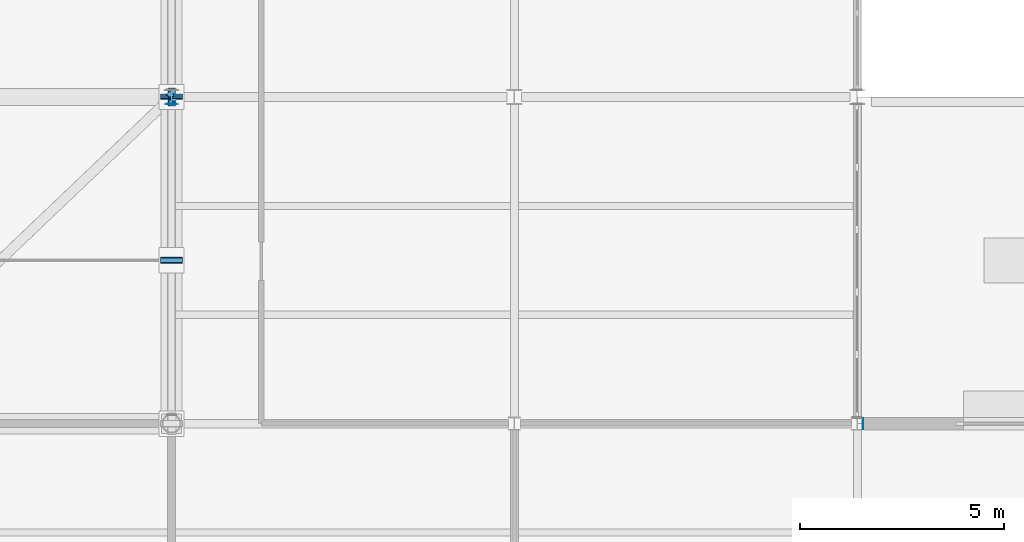
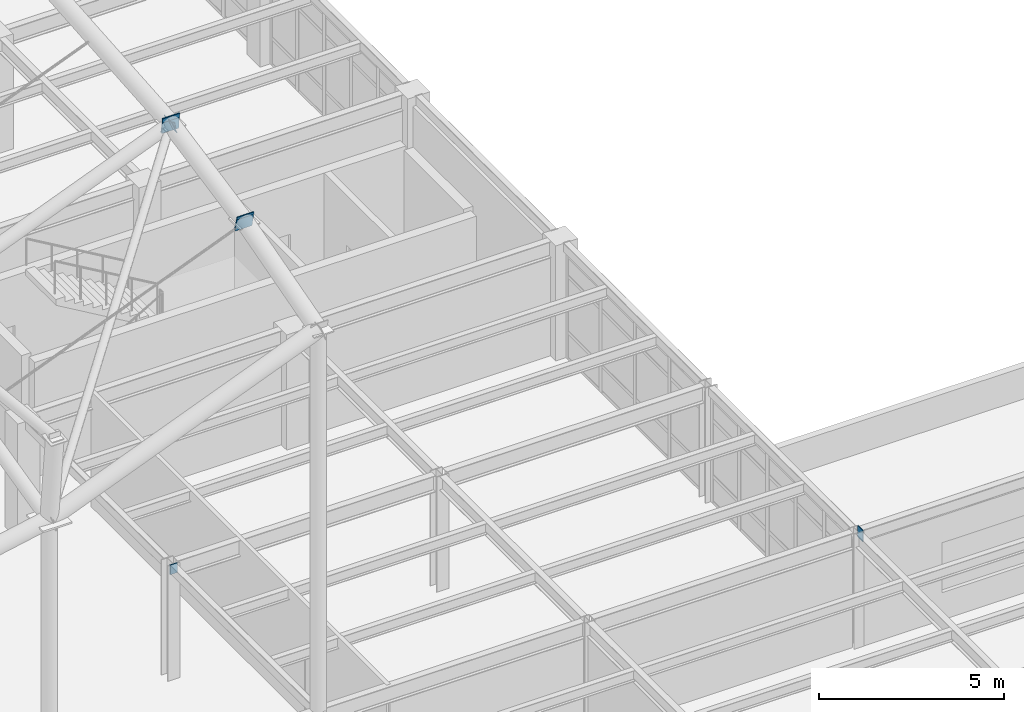
# One storey, part 97 of 138: 8 discrete accessories.
"""IFC4 building model written with IfcOpenShell, lengths in metres."""

from ifc_helpers import new_model, si_unit, direction, frame, origin, origin_2d, place, context, subcontext, project, spatial, rectangle, extrude, material, layer, layer_set, type_object, element, save


model = new_model("IFC4")

# Units and contexts
model_context = context("Model", 3, precision=1e-05, world=origin(), true_north=direction((0.0, 1.0)))
body_context = subcontext(model_context, "Body", "Model", "MODEL_VIEW")
ifc_project = project(units=[si_unit("LENGTHUNIT", "METRE"), si_unit("AREAUNIT", "SQUARE_METRE"), si_unit("VOLUMEUNIT", "CUBIC_METRE"), si_unit("PLANEANGLEUNIT", "RADIAN"), si_unit("MASSUNIT", "GRAM", prefix="KILO")], contexts=[model_context])

# Site, building, storey
site_placement = place(None, origin())
site = spatial("IfcSite", under=ifc_project, at=site_placement, CompositionType="ELEMENT")
building_placement = place(site_placement, origin())
building = spatial("IfcBuilding", under=site, at=building_placement, Name="Kranzveld Transit Interchange", CompositionType="ELEMENT")
storey_placement = place(building_placement, frame((0.0, 0.0, 5.43994140625)))
storey = spatial("IfcBuildingStorey", under=building, at=storey_placement, Name="L01", CompositionType="ELEMENT", Elevation=5.43994140625)

# Discrete accessories
ifc_material = material(Name="Steel S355JR", Category="steel")
ifc_layer = layer(ifc_material, 0.02001953125)
ifc_layer_set = layer_set([ifc_layer], Name="Steel S355JR")
discrete_accessory_type = type_object("IfcDiscreteAccessoryType", Name="Hollow Section End Cap Bracket 20 S355JR", PredefinedType="BRACKET", material=ifc_layer_set)
discrete_accessory_1_placement = place(storey_placement, frame((117.74853515625, 56.0, 3.625), z_axis=(-1.0, 0.0, 0.0), x_axis=(0.0, -1.0, 0.0)))
element("IfcDiscreteAccessory", 1, at=discrete_accessory_1_placement, inside=storey, type_object=discrete_accessory_type, Name="Hollow Section End Cap SP-RHS350-1", PredefinedType="BRACKET", context=body_context, shape_type="SweptSolid", body=[
    extrude(rectangle(XDim=0.27392578125, YDim=0.3740234375, at=origin_2d()), origin(), (0.0, 0.0, 1.0), 0.02001953125),
])
discrete_accessory_2_placement = place(storey_placement, frame((100.800048828125, 63.818603515625, 3.650146484375), z_axis=(0.0, 1.0, 0.0), x_axis=(-1.0, 0.0, 0.0)))
element("IfcDiscreteAccessory", 2, at=discrete_accessory_2_placement, inside=storey, type_object=discrete_accessory_type, Name="Hollow Section End Cap SP-RHS300-2", PredefinedType="BRACKET", context=body_context, shape_type="SweptSolid", body=[
    extrude(rectangle(XDim=0.22412109375, YDim=0.323974609375, at=origin_2d()), origin(), (0.0, 0.0, 1.0), 0.02001953125),
])
for number, where, z_axis, x_axis, name in (
    (3, (100.800048828125, 59.99609375, 17.446533203125), (0.0, 0.963343002143, 0.268272734774), (-1.0, 0.0, 0.0), "Hollow Section End Cap B-RNG508-2"),
    (4, (100.800048828125, 60.00390625, 17.4482421875), (0.0, -0.980580675691, -0.196116135138), (1.0, 0.0, 0.0), "Hollow Section End Cap B-RNG508-1"),
    (5, (100.800048828125, 63.99609375, 18.25927734375), (0.0, 0.980580675691, 0.196116135138), (-1.0, 0.0, 0.0), "Hollow Section End Cap B-RNG508-2"),
):
    element("IfcDiscreteAccessory", number, at=place(storey_placement, frame(where, z_axis=z_axis, x_axis=x_axis)), inside=storey, type_object=discrete_accessory_type, Name=name, PredefinedType="BRACKET", context=body_context, shape_type="SweptSolid", body=[
        extrude(rectangle(XDim=0.531982421875, YDim=0.531982421875, at=origin_2d()), origin(), (0.0, 0.0, 1.0), 0.02001953125),
    ])
discrete_accessory_3_placement = place(storey_placement, frame((100.800048828125, 64.00390625, 18.260498046875), z_axis=(0.0, -0.996286600035, -0.086098841978), x_axis=(1.0, 0.0, 0.0)))
element("IfcDiscreteAccessory", 6, at=discrete_accessory_3_placement, inside=storey, type_object=discrete_accessory_type, Name="Hollow Section End Cap B-RNG508-1", PredefinedType="BRACKET", context=body_context, shape_type="SweptSolid", body=[
    extrude(rectangle(XDim=0.531982421875, YDim=0.531982421875, at=origin_2d()), origin(), (0.0, 0.0, 1.0), 0.019775390625),
])
discrete_accessory_4_placement = place(storey_placement, frame((100.79638671875, 64.0, 18.228515625), z_axis=(0.930155221331, 0.0, 0.367166534736), x_axis=(0.0, 1.0, 0.0)))
element("IfcDiscreteAccessory", 7, at=discrete_accessory_4_placement, inside=storey, type_object=discrete_accessory_type, Name="Hollow Section End Cap B-RIB406-2", PredefinedType="BRACKET", context=body_context, shape_type="SweptSolid", body=[
    extrude(rectangle(XDim=0.430419921875, YDim=0.430419921875, at=origin_2d()), origin(), (0.0, 0.0, 1.0), 0.02001953125),
])
discrete_accessory_5_placement = place(storey_placement, frame((100.79736328125, 63.99755859375, 18.20849609375), z_axis=(0.661048307145, 0.624323401192, 0.416215600795), x_axis=(-0.686623532964, 0.72701315255, 0.0)))
element("IfcDiscreteAccessory", 8, at=discrete_accessory_5_placement, inside=storey, type_object=discrete_accessory_type, Name="Hollow Section End Cap BR-CHS244-2", PredefinedType="BRACKET", context=body_context, shape_type="SweptSolid", body=[
    extrude(rectangle(XDim=0.2685546875, YDim=0.2685546875, at=origin_2d()), origin(), (0.0, 0.0, 1.0), 0.02001953125),
])

save(model, "model.ifc")
